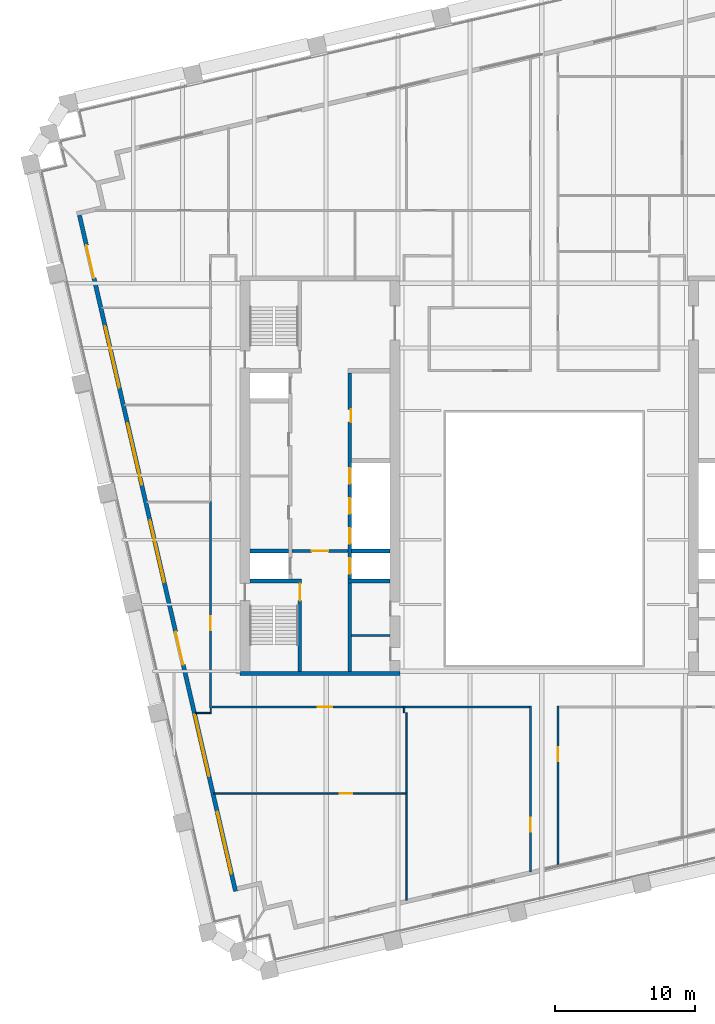
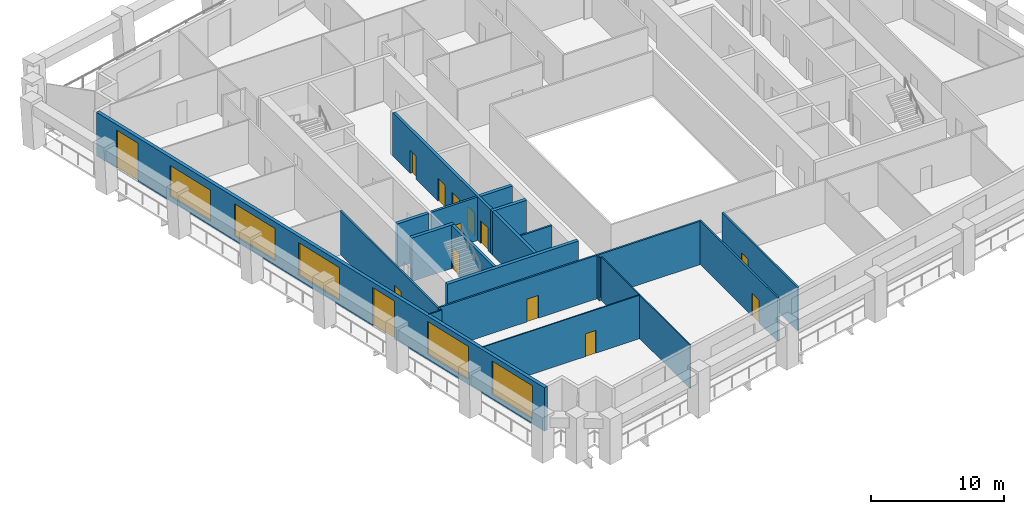
# One storey, part 4 of 11: 21 walls, 14 doors, 5 windows, 19 openings.
"""IFC4 building model written with IfcOpenShell, lengths in metres."""

import ifcopenshell
import ifcopenshell.guid

model = None  # the IFC model being written
_history = None  # IfcOwnerHistory: only IFC2X3 demands one
_inside = {}  # id of a spatial element -> (the spatial element, [elements in it])
_under = {}  # id of a project, library or spatial element -> (it, [spatial elements below it])
_declared = {}  # id of a project -> (the project, [libraries it declares])
_typed = {}  # id of a type object -> (the type object, [elements of that type])
_made_of = {}  # id of a material, layer set ... -> (it, [elements and type objects made of it])


def new_model(schema):
    """Start an empty IFC model of exactly this schema.

    Asked for "IFC4X3", IfcOpenShell would pick the latest addendum, in which some entities
    have other attributes; the version numbers below select the first issue.
    IFC2X3 requires an IfcOwnerHistory on every rooted entity: one is made here for all.
    """
    global model, _history
    if schema == "IFC4X3":
        model = ifcopenshell.file(schema_version=(4, 3, 0, 0))
    else:
        model = ifcopenshell.file(schema=schema)
    _inside.clear()
    _under.clear()
    _declared.clear()
    _typed.clear()
    _made_of.clear()
    _history = None
    if model.schema == "IFC2X3":
        org = make("IfcOrganization", Name="unknown")
        user = make(
            "IfcPersonAndOrganization",
            ThePerson=make("IfcPerson", FamilyName="unknown"),
            TheOrganization=org,
        )
        app = make(
            "IfcApplication",
            ApplicationDeveloper=org,
            Version="unknown",
            ApplicationFullName="unknown",
            ApplicationIdentifier="unknown",
        )
        _history = make(
            "IfcOwnerHistory",
            OwningUser=user,
            OwningApplication=app,
            ChangeAction="ADDED",
            CreationDate=0,
        )
    return model


def make(cls, **values):
    """One entity of the class cls with the attributes given. An attribute that is None is left unset."""
    return model.create_entity(
        cls, **{name: value for name, value in values.items() if value is not None}
    )


def rooted(cls, **values):
    """An entity with a GlobalId (a new one), such as an element, a storey or a relation."""
    return make(cls, GlobalId=ifcopenshell.guid.new(), OwnerHistory=_history, **values)


def si_unit(unit_type, name, prefix=None):
    """IfcSIUnit, for example si_unit("LENGTHUNIT", "METRE", prefix="MILLI")."""
    return make("IfcSIUnit", UnitType=unit_type, Prefix=prefix, Name=name)


def assignment(units):
    """IfcUnitAssignment: the units of a project."""
    return None if units is None else make("IfcUnitAssignment", Units=units)


def point(xyz):
    """IfcCartesianPoint."""
    return None if xyz is None else make("IfcCartesianPoint", Coordinates=xyz)


def direction(xyz):
    """IfcDirection."""
    return None if xyz is None else make("IfcDirection", DirectionRatios=xyz)


def frame(location, z_axis=None, x_axis=None):
    """IfcAxis2Placement3D, a coordinate frame: its origin and axes. An axis left out is left unset."""
    return make(
        "IfcAxis2Placement3D",
        Location=point(location),
        Axis=direction(z_axis),
        RefDirection=direction(x_axis),
    )


def frame_2d(location, x_axis=None):
    """IfcAxis2Placement2D, a coordinate frame in the plane: its origin and x axis."""
    return make(
        "IfcAxis2Placement2D", Location=point(location), RefDirection=direction(x_axis)
    )


def origin():
    """The frame at (0, 0, 0) with its axes left unset."""
    return frame((0.0, 0.0, 0.0))


def place(relative_to, where):
    """IfcLocalPlacement: puts the frame where relative to a parent placement (None: the world)."""
    return make(
        "IfcLocalPlacement", PlacementRelTo=relative_to, RelativePlacement=where
    )


def context(
    kind, dimensions, precision=None, world=None, true_north=None, identifier=None
):
    """IfcGeometricRepresentationContext, for example the 3D "Model" context."""
    return make(
        "IfcGeometricRepresentationContext",
        ContextIdentifier=identifier,
        ContextType=kind,
        CoordinateSpaceDimension=dimensions,
        Precision=precision,
        WorldCoordinateSystem=world,
        TrueNorth=true_north,
    )


def subcontext(parent, identifier, kind, view, scale=None):
    """IfcGeometricRepresentationSubContext, for example "Body" below "Model"."""
    return make(
        "IfcGeometricRepresentationSubContext",
        ContextIdentifier=identifier,
        ContextType=kind,
        ParentContext=parent,
        TargetScale=scale,
        TargetView=view,
    )


def project(units=None, contexts=None):
    """IfcProject with its units and contexts."""
    return rooted(
        "IfcProject",
        Name="project",
        RepresentationContexts=contexts,
        UnitsInContext=assignment(units),
    )


def spatial(cls, under=None, at=None, **own):
    """A site, building, storey or space (cls), placed at a placement, below another one or the project."""
    s = rooted(cls, ObjectPlacement=at, **own)
    if under is not None:
        _under.setdefault(under.id(), (under, []))[1].append(s)
    return s


def profile(cls, at=None, kind="AREA", **sizes):
    """A parametric profile (cls). Its sizes go by their IFC names, for example OverallWidth=200.0."""
    return make(cls, ProfileType=kind, Position=at, **sizes)


def rectangle(**sizes):
    """IfcRectangleProfileDef."""
    return profile("IfcRectangleProfileDef", **sizes)


def extrude(swept, where, along, depth):
    """IfcExtrudedAreaSolid: the profile swept, set in the frame where, extruded along a direction by depth."""
    return make(
        "IfcExtrudedAreaSolid",
        SweptArea=swept,
        Position=where,
        ExtrudedDirection=direction(along),
        Depth=depth,
    )


def shape(context_of_items, identifier, shape_type, items):
    """IfcShapeRepresentation: the items that make up one representation, for example the "Body"."""
    return make(
        "IfcShapeRepresentation",
        ContextOfItems=context_of_items,
        RepresentationIdentifier=identifier,
        RepresentationType=shape_type,
        Items=items,
    )


def material(Name=None, Category=None):
    """IfcMaterial."""
    return make("IfcMaterial", Name=Name, Category=Category)


def layer(
    of_material, thickness, ventilated=None, Name=None, Category=None, Priority=None
):
    """IfcMaterialLayer: one layer of a wall or slab, of a material (None: an air gap)."""
    return make(
        "IfcMaterialLayer",
        Material=of_material,
        LayerThickness=thickness,
        IsVentilated=ventilated,
        Name=Name,
        Category=Category,
        Priority=Priority,
    )


def layer_set(layers, Name=None):
    """IfcMaterialLayerSet."""
    return make("IfcMaterialLayerSet", MaterialLayers=layers, LayerSetName=Name)


def made_of(thing, what):
    """Note that an element or type object is made of a material, layer set ...; save() writes the relation."""
    if what is not None:
        _made_of.setdefault(what.id(), (what, []))[1].append(thing)
    return thing


def type_object(cls, material=None, **own):
    """A type object (cls), such as IfcWallType, which elements share."""
    return made_of(rooted(cls, **own), material)


def element(
    cls,
    number,
    at=None,
    inside=None,
    cuts=None,
    type_object=None,
    material=None,
    context=None,
    identifier="Body",
    shape_type=None,
    held_by="IfcProductDefinitionShape",
    body=None,
    shapes=None,
    **own,
):
    """One element of the class cls, such as IfcWall. Its Tag is "e" and its number.

    at: its placement. inside: the storey or other place that contains it. cuts: it is an
    opening in that element (IfcRelVoidsElement). A single representation is given by context,
    identifier, shape_type and body (its items); several are given by shapes. held_by: the class
    of the entity that holds the representations. save() writes the other relations.
    """
    e = rooted(cls, Tag="e%d" % number, ObjectPlacement=at, **own)
    if body is not None:
        shapes = [shape(context, identifier, shape_type, body)]
    if shapes is not None:
        e.Representation = make(held_by, Representations=shapes)
    if inside is not None:
        _inside.setdefault(inside.id(), (inside, []))[1].append(e)
    if cuts is not None:
        rooted(
            "IfcRelVoidsElement", RelatingBuildingElement=cuts, RelatedOpeningElement=e
        )
    if type_object is not None:
        _typed.setdefault(type_object.id(), (type_object, []))[1].append(e)
    return made_of(e, material)


def fill(opening, filler):
    """IfcRelFillsElement: the door or window that sits in an opening."""
    return rooted(
        "IfcRelFillsElement",
        RelatingOpeningElement=opening,
        RelatedBuildingElement=filler,
    )


def aggregate(whole, parts):
    """IfcRelAggregates: a whole, such as a stair, and the parts it consists of."""
    return rooted("IfcRelAggregates", RelatingObject=whole, RelatedObjects=parts)


def save(model, path):
    """Write the relations noted so far, then the file.

    IfcRelAggregates (storeys below a building ...), IfcRelContainedInSpatialStructure (elements
    in a storey), IfcRelDefinesByType, IfcRelAssociatesMaterial and IfcRelDeclares: one each for
    every whole, place, type object, material and project.
    """
    for whole, parts in _under.values():
        aggregate(whole, parts)
    for where, things in _inside.values():
        rooted(
            "IfcRelContainedInSpatialStructure",
            RelatedElements=things,
            RelatingStructure=where,
        )
    for kind, things in _typed.values():
        rooted("IfcRelDefinesByType", RelatedObjects=things, RelatingType=kind)
    for what, things in _made_of.values():
        rooted("IfcRelAssociatesMaterial", RelatedObjects=things, RelatingMaterial=what)
    for by, libraries in _declared.values():
        rooted("IfcRelDeclares", RelatingContext=by, RelatedDefinitions=libraries)
    model.write(path)


model = new_model("IFC4")

# Units and contexts
model_context = context("Model", 3, precision=1e-05, world=origin(), true_north=direction((0.0, 1.0)))
body_context = subcontext(model_context, "Body", "Model", "MODEL_VIEW")
ifc_project = project(units=[si_unit("LENGTHUNIT", "METRE"), si_unit("AREAUNIT", "SQUARE_METRE"), si_unit("VOLUMEUNIT", "CUBIC_METRE"), si_unit("PLANEANGLEUNIT", "RADIAN"), si_unit("MASSUNIT", "GRAM", prefix="KILO")], contexts=[model_context])

# Site, building, storey
site_placement = place(None, origin())
site = spatial("IfcSite", under=ifc_project, at=site_placement, CompositionType="ELEMENT")
building_placement = place(site_placement, origin())
building = spatial("IfcBuilding", under=site, at=building_placement, Name="Ogive Exchange Tower", CompositionType="ELEMENT")
storey_placement = place(building_placement, frame((0.0, 0.0, 184.199951171875)))
storey = spatial("IfcBuildingStorey", under=building, at=storey_placement, Name="L40", CompositionType="ELEMENT", Elevation=184.199951171875)

# Wall
ifc_material_1 = material(Name="Gypsum board partition")
ifc_layer_1 = layer(ifc_material_1, 0.14990234375)
ifc_layer_set_1 = layer_set([ifc_layer_1], Name="Core room partition 150 gypsum")
wall_type_1 = type_object("IfcWallType", Name="Core room partition 150 gypsum", PredefinedType="PARTITIONING", material=ifc_layer_set_1)
wall_1_placement = place(storey_placement, frame((-13.75, 0.10009765625, 0.0), z_axis=(0.0, 0.0, 1.0), x_axis=(1.0, 0.0, 0.0)))
element("IfcWall", 1, at=wall_1_placement, inside=storey, type_object=wall_type_1, Name="W south room partition", PredefinedType="PARTITIONING", context=body_context, shape_type="SweptSolid", body=[
    extrude(rectangle(XDim=2.75, YDim=0.14990234375, at=frame_2d((1.375, 0.0))), origin(), (0.0, 0.0, 1.0), 4.0),
])

# Wall, opening, door
ifc_material_2 = material(Name="Fire partition EI 60 150")
ifc_layer_2 = layer(ifc_material_2, 0.14990234375)
ifc_layer_set_2 = layer_set([ifc_layer_2], Name="Fire partition EI 60 150")
wall_type_2 = type_object("IfcWallType", Name="Fire partition EI 60 150", PredefinedType="PARTITIONING", material=ifc_layer_set_2)
wall_2_placement = place(storey_placement, frame((-23.800048828125, -5.074951171875, 0.0), z_axis=(0.0, 0.0, 1.0), x_axis=(0.0, 1.0, 0.0)))
wall_2 = element("IfcWall", 2, at=wall_2_placement, inside=storey, type_object=wall_type_2, Name="L40-PWL-003", PredefinedType="PARTITIONING", context=body_context, shape_type="SweptSolid", body=[
    extrude(rectangle(XDim=14.744873046875, YDim=0.14990234375, at=frame_2d((7.37255859375, 0.0))), origin(), (0.0, 0.0, 1.0), 4.0),
])
opening_1_placement = place(wall_2_placement, frame((5.544921875, 0.0, 0.0)))
opening_1 = element("IfcOpeningElement", 3, at=opening_1_placement, cuts=wall_2, Name="Opening L40-I11", PredefinedType="OPENING", context=body_context, shape_type="SweptSolid", body=[
    extrude(rectangle(XDim=1.0, YDim=2.10009765625, at=frame_2d((0.5, 1.050048828125))), frame((0.0, 0.0849609375, 0.0), z_axis=(0.0, -1.0, 0.0), x_axis=(1.0, 0.0, 0.0)), (0.0, 0.0, 1.0), 0.169921875),
])
ifc_material_3 = material(Name="Fire door FD 30S 1000 x 2100")
door_type_1 = type_object("IfcDoorType", Name="Fire door FD 30S 1000 x 2100", OperationType="NOTDEFINED", PredefinedType="DOOR", material=ifc_material_3)
door_1_placement = place(opening_1_placement, origin())
door_1 = element("IfcDoor", 4, at=door_1_placement, inside=storey, type_object=door_type_1, Name="L40-IDR-011", ObjectType="DT3", OperationType="SINGLE_SWING_RIGHT", OverallHeight=2.10009765625, OverallWidth=1.0, PredefinedType="DOOR", context=body_context, shape_type="SweptSolid", body=[
    extrude(rectangle(XDim=1.0, YDim=2.10009765625, at=frame_2d((0.5, 1.050048828125))), frame((0.0, 0.02490234375, 0.0), z_axis=(0.0, -1.0, 0.0), x_axis=(1.0, 0.0, 0.0)), (0.0, 0.0, 1.0), 0.050048828125),
])
fill(opening_1, door_1)

wall_3_placement = place(storey_placement, frame((-10.050048828125, -5.0, 0.0), z_axis=(0.0, 0.0, 1.0), x_axis=(-1.0, 0.0, 0.0)))
wall_3 = element("IfcWall", 5, at=wall_3_placement, inside=storey, type_object=wall_type_2, Name="L40-PWL-020", PredefinedType="PARTITIONING", context=body_context, shape_type="SweptSolid", body=[
    extrude(rectangle(XDim=13.6650390625, YDim=0.14990234375, at=frame_2d((6.83251953125, 0.0))), origin(), (0.0, 0.0, 1.0), 4.0),
])
opening_2_placement = place(wall_3_placement, frame((5.090087890625, 0.0, 0.0)))
opening_2 = element("IfcOpeningElement", 6, at=opening_2_placement, cuts=wall_3, Name="Opening L40-I13", PredefinedType="OPENING", context=body_context, shape_type="SweptSolid", body=[
    extrude(rectangle(XDim=1.0, YDim=2.10009765625, at=frame_2d((0.5, 1.050048828125))), frame((0.0, 0.0849609375, 0.0), z_axis=(0.0, -1.0, 0.0), x_axis=(1.0, 0.0, 0.0)), (0.0, 0.0, 1.0), 0.169921875),
])
door_2_placement = place(opening_2_placement, origin())
door_2 = element("IfcDoor", 7, at=door_2_placement, inside=storey, type_object=door_type_1, Name="L40-IDR-013", ObjectType="DT3", OperationType="SINGLE_SWING_RIGHT", OverallHeight=2.10009765625, OverallWidth=1.0, PredefinedType="DOOR", context=body_context, shape_type="SweptSolid", body=[
    extrude(rectangle(XDim=1.0, YDim=2.10009765625, at=frame_2d((0.5, 1.050048828125))), frame((0.0, 0.02490234375, 0.0), z_axis=(0.0, -1.0, 0.0), x_axis=(1.0, 0.0, 0.0)), (0.0, 0.0, 1.0), 0.050048828125),
])
fill(opening_2, door_2)

wall_4_placement = place(storey_placement, frame((-0.989990234375, -16.7529296875, 0.0), z_axis=(0.0, 0.0, 1.0), x_axis=(0.0, 1.0, 0.0)))
wall_4 = element("IfcWall", 8, at=wall_4_placement, inside=storey, type_object=wall_type_2, Name="L40-PWL-036", PredefinedType="PARTITIONING", context=body_context, shape_type="SweptSolid", body=[
    extrude(rectangle(XDim=11.827880859375, YDim=0.14990234375, at=frame_2d((5.9140625, 0.0))), origin(), (0.0, 0.0, 1.0), 4.0),
])
opening_3_placement = place(wall_4_placement, frame((2.85302734375, 0.0, 0.0)))
opening_3 = element("IfcOpeningElement", 9, at=opening_3_placement, cuts=wall_4, Name="Opening L40-I12", PredefinedType="OPENING", context=body_context, shape_type="SweptSolid", body=[
    extrude(rectangle(XDim=1.0, YDim=2.10009765625, at=frame_2d((0.5, 1.050048828125))), frame((0.0, 0.0849609375, 0.0), z_axis=(0.0, -1.0, 0.0), x_axis=(1.0, 0.0, 0.0)), (0.0, 0.0, 1.0), 0.169921875),
])
door_3_placement = place(opening_3_placement, origin())
door_3 = element("IfcDoor", 10, at=door_3_placement, inside=storey, type_object=door_type_1, Name="L40-IDR-012", ObjectType="DT3", OperationType="SINGLE_SWING_RIGHT", OverallHeight=2.10009765625, OverallWidth=1.0, PredefinedType="DOOR", context=body_context, shape_type="SweptSolid", body=[
    extrude(rectangle(XDim=1.0, YDim=2.10009765625, at=frame_2d((0.5, 1.050048828125))), frame((0.0, 0.02490234375, 0.0), z_axis=(0.0, -1.0, 0.0), x_axis=(1.0, 0.0, 0.0)), (0.0, 0.0, 1.0), 0.050048828125),
])
fill(opening_3, door_3)

# Wall
wall_5_placement = place(storey_placement, frame((-1.06494140625, -5.0, 0.0), z_axis=(0.0, 0.0, 1.0), x_axis=(-1.0, 0.0, 0.0)))
element("IfcWall", 11, at=wall_5_placement, inside=storey, type_object=wall_type_2, Name="L40-PWL-037", PredefinedType="PARTITIONING", context=body_context, shape_type="SweptSolid", body=[
    extrude(rectangle(XDim=8.885009765625, YDim=0.14990234375, at=frame_2d((4.4423828125, 0.0))), origin(), (0.0, 0.0, 1.0), 4.0),
])

# Wall, opening, door
wall_6_placement = place(storey_placement, frame((0.989990234375, -4.925048828125, 0.0), z_axis=(0.0, 0.0, 1.0), x_axis=(0.0, -1.0, 0.0)))
wall_6 = element("IfcWall", 12, at=wall_6_placement, inside=storey, type_object=wall_type_2, Name="L40-PWL-041", PredefinedType="PARTITIONING", context=body_context, shape_type="SweptSolid", body=[
    extrude(rectangle(XDim=11.370849609375, YDim=0.14990234375, at=frame_2d((5.685546875, 0.0))), origin(), (0.0, 0.0, 1.0), 4.0),
])
opening_4_placement = place(wall_6_placement, frame((2.945068359375, 0.0, 0.0)))
opening_4 = element("IfcOpeningElement", 13, at=opening_4_placement, cuts=wall_6, Name="Opening L40-I15", PredefinedType="OPENING", context=body_context, shape_type="SweptSolid", body=[
    extrude(rectangle(XDim=1.0, YDim=2.10009765625, at=frame_2d((0.5, 1.050048828125))), frame((0.0, 0.0849609375, 0.0), z_axis=(0.0, -1.0, 0.0), x_axis=(1.0, 0.0, 0.0)), (0.0, 0.0, 1.0), 0.169921875),
])
door_4_placement = place(opening_4_placement, origin())
door_4 = element("IfcDoor", 14, at=door_4_placement, inside=storey, type_object=door_type_1, Name="L40-IDR-015", ObjectType="DT3", OperationType="SINGLE_SWING_RIGHT", OverallHeight=2.10009765625, OverallWidth=1.0, PredefinedType="DOOR", context=body_context, shape_type="SweptSolid", body=[
    extrude(rectangle(XDim=1.0, YDim=2.10009765625, at=frame_2d((0.5, 1.050048828125))), frame((0.0, 0.02490234375, 0.0), z_axis=(0.0, -1.0, 0.0), x_axis=(1.0, 0.0, 0.0)), (0.0, 0.0, 1.0), 0.050048828125),
])
fill(opening_4, door_4)

# Wall, openings, doors, windows
ifc_material_4 = material(Name="Precast concrete C40/50", Category="concrete")
ifc_layer_3 = layer(ifc_material_4, 0.300048828125)
ifc_layer_set_3 = layer_set([ifc_layer_3], Name="Limestone-faced wall 300")
wall_type_3 = type_object("IfcWallType", Name="Limestone-faced wall 300", PredefinedType="STANDARD", material=ifc_layer_set_3)
wall_7_placement = place(storey_placement, frame((-33.1572265625, 30.092041015625, 0.0), z_axis=(0.0, 0.0, 1.0), x_axis=(0.224950279389, -0.974370243697, 0.0)))
wall_7 = element("IfcWall", 15, at=wall_7_placement, inside=storey, type_object=wall_type_3, Name="External wall W4", PredefinedType="STANDARD", context=body_context, shape_type="SweptSolid", body=[
    extrude(rectangle(XDim=49.499755859375, YDim=0.300048828125, at=frame_2d((24.75, 0.0))), origin(), (0.0, 0.0, 1.0), 4.0),
])
opening_5_placement = place(wall_7_placement, frame((2.20703125, 0.0, 0.0)))
opening_5 = element("IfcOpeningElement", 16, at=opening_5_placement, cuts=wall_7, Name="Opening D1", PredefinedType="OPENING", context=body_context, shape_type="SweptSolid", body=[
    extrude(rectangle(XDim=2.39990234375, YDim=3.5, at=frame_2d((1.199951171875, 1.75))), frame((0.0, 0.159912109375, 0.0), z_axis=(0.0, -1.0, 0.0), x_axis=(1.0, 0.0, 0.0)), (0.0, 0.0, 1.0), 0.320068359375),
])
opening_6_placement = place(wall_7_placement, frame((8.121337890625, 0.0, 0.449951171875)))
opening_6 = element("IfcOpeningElement", 17, at=opening_6_placement, cuts=wall_7, Name="Opening W1E", PredefinedType="OPENING", context=body_context, shape_type="SweptSolid", body=[
    extrude(rectangle(XDim=4.5, YDim=2.824951171875, at=frame_2d((2.25, 1.41259765625))), frame((0.0, 0.159912109375, 0.0), z_axis=(0.0, -1.0, 0.0), x_axis=(1.0, 0.0, 0.0)), (0.0, 0.0, 1.0), 0.320068359375),
])
opening_7_placement = place(wall_7_placement, frame((15.235595703125, 0.0, 0.449951171875)))
opening_7 = element("IfcOpeningElement", 18, at=opening_7_placement, cuts=wall_7, Name="Opening W1B", PredefinedType="OPENING", context=body_context, shape_type="SweptSolid", body=[
    extrude(rectangle(XDim=4.5, YDim=2.949951171875, at=frame_2d((2.25, 1.47509765625))), frame((0.0, 0.159912109375, 0.0), z_axis=(0.0, -1.0, 0.0), x_axis=(1.0, 0.0, 0.0)), (0.0, 0.0, 1.0), 0.320068359375),
])
opening_8_placement = place(wall_7_placement, frame((22.35009765625, 0.0, 0.449951171875)))
opening_8 = element("IfcOpeningElement", 19, at=opening_8_placement, cuts=wall_7, Name="Opening W1A", PredefinedType="OPENING", context=body_context, shape_type="SweptSolid", body=[
    extrude(rectangle(XDim=4.5, YDim=3.0, at=frame_2d((2.25, 1.5))), frame((0.0, 0.159912109375, 0.0), z_axis=(0.0, -1.0, 0.0), x_axis=(1.0, 0.0, 0.0)), (0.0, 0.0, 1.0), 0.320068359375),
])
opening_9_placement = place(wall_7_placement, frame((30.51416015625, 0.0, 0.0)))
opening_9 = element("IfcOpeningElement", 20, at=opening_9_placement, cuts=wall_7, Name="Opening D1", PredefinedType="OPENING", context=body_context, shape_type="SweptSolid", body=[
    extrude(rectangle(XDim=2.39990234375, YDim=3.5, at=frame_2d((1.199951171875, 1.75))), frame((0.0, 0.159912109375, 0.0), z_axis=(0.0, -1.0, 0.0), x_axis=(1.0, 0.0, 0.0)), (0.0, 0.0, 1.0), 0.320068359375),
])
opening_10_placement = place(wall_7_placement, frame((36.57861328125, 0.0, 0.449951171875)))
opening_10 = element("IfcOpeningElement", 21, at=opening_10_placement, cuts=wall_7, Name="Opening W1", PredefinedType="OPENING", context=body_context, shape_type="SweptSolid", body=[
    extrude(rectangle(XDim=4.5, YDim=3.050048828125, at=frame_2d((2.25, 1.52490234375))), frame((0.0, 0.159912109375, 0.0), z_axis=(0.0, -1.0, 0.0), x_axis=(1.0, 0.0, 0.0)), (0.0, 0.0, 1.0), 0.320068359375),
])
opening_11_placement = place(wall_7_placement, frame((43.69287109375, 0.0, 0.449951171875)))
opening_11 = element("IfcOpeningElement", 22, at=opening_11_placement, cuts=wall_7, Name="Opening W1", PredefinedType="OPENING", context=body_context, shape_type="SweptSolid", body=[
    extrude(rectangle(XDim=4.5, YDim=3.050048828125, at=frame_2d((2.25, 1.52490234375))), frame((0.0, 0.159912109375, 0.0), z_axis=(0.0, -1.0, 0.0), x_axis=(1.0, 0.0, 0.0)), (0.0, 0.0, 1.0), 0.320068359375),
])
ifc_material_5 = material(Name="Clear glass in bronze frame", Category="glass")
door_type_2 = type_object("IfcDoorType", Name="Sliding loggia door 2400 x 3500", OperationType="DOUBLE_DOOR_SLIDING", PredefinedType="DOOR", material=ifc_material_5)
door_5_placement = place(opening_5_placement, origin())
door_5 = element("IfcDoor", 23, at=door_5_placement, inside=storey, type_object=door_type_2, Name="Loggia door W00", OperationType="DOUBLE_DOOR_SLIDING", OverallHeight=3.5, OverallWidth=2.39990234375, PredefinedType="DOOR", context=body_context, shape_type="SweptSolid", body=[
    extrude(rectangle(XDim=2.39990234375, YDim=3.5, at=frame_2d((1.199951171875, 1.75))), frame((0.0, 0.02490234375, 0.0), z_axis=(0.0, -1.0, 0.0), x_axis=(1.0, 0.0, 0.0)), (0.0, 0.0, 1.0), 0.050048828125),
])
fill(opening_5, door_5)
door_6_placement = place(opening_9_placement, origin())
door_6 = element("IfcDoor", 24, at=door_6_placement, inside=storey, type_object=door_type_2, Name="Loggia door W04", OperationType="DOUBLE_DOOR_SLIDING", OverallHeight=3.5, OverallWidth=2.39990234375, PredefinedType="DOOR", context=body_context, shape_type="SweptSolid", body=[
    extrude(rectangle(XDim=2.39990234375, YDim=3.5, at=frame_2d((1.199951171875, 1.75))), frame((0.0, 0.02490234375, 0.0), z_axis=(0.0, -1.0, 0.0), x_axis=(1.0, 0.0, 0.0)), (0.0, 0.0, 1.0), 0.050048828125),
])
fill(opening_9, door_6)
window_type_1 = type_object("IfcWindowType", Name="Twin lancet window 4500 x 2825", PartitioningType="DOUBLE_PANEL_VERTICAL", PredefinedType="WINDOW", material=ifc_material_5)
window_1_placement = place(opening_6_placement, origin())
window_1 = element("IfcWindow", 25, at=window_1_placement, inside=storey, type_object=window_type_1, Name="Window W01", OverallHeight=2.824951171875, OverallWidth=4.5, PartitioningType="DOUBLE_PANEL_VERTICAL", PredefinedType="WINDOW", context=body_context, shape_type="SweptSolid", body=[
    extrude(rectangle(XDim=4.5, YDim=2.824951171875, at=frame_2d((2.25, 1.41259765625))), frame((0.0, 0.030029296875, 0.0), z_axis=(0.0, -1.0, 0.0), x_axis=(1.0, 0.0, 0.0)), (0.0, 0.0, 1.0), 0.06005859375),
])
fill(opening_6, window_1)
window_type_2 = type_object("IfcWindowType", Name="Twin lancet window 4500 x 2950", PartitioningType="DOUBLE_PANEL_VERTICAL", PredefinedType="WINDOW", material=ifc_material_5)
window_2_placement = place(opening_7_placement, origin())
window_2 = element("IfcWindow", 26, at=window_2_placement, inside=storey, type_object=window_type_2, Name="Window W02", OverallHeight=2.949951171875, OverallWidth=4.5, PartitioningType="DOUBLE_PANEL_VERTICAL", PredefinedType="WINDOW", context=body_context, shape_type="SweptSolid", body=[
    extrude(rectangle(XDim=4.5, YDim=2.949951171875, at=frame_2d((2.25, 1.47509765625))), frame((0.0, 0.030029296875, 0.0), z_axis=(0.0, -1.0, 0.0), x_axis=(1.0, 0.0, 0.0)), (0.0, 0.0, 1.0), 0.06005859375),
])
fill(opening_7, window_2)
window_type_3 = type_object("IfcWindowType", Name="Twin lancet window 4500 x 3000", PartitioningType="DOUBLE_PANEL_VERTICAL", PredefinedType="WINDOW", material=ifc_material_5)
window_3_placement = place(opening_8_placement, origin())
window_3 = element("IfcWindow", 27, at=window_3_placement, inside=storey, type_object=window_type_3, Name="Window W03", OverallHeight=3.0, OverallWidth=4.5, PartitioningType="DOUBLE_PANEL_VERTICAL", PredefinedType="WINDOW", context=body_context, shape_type="SweptSolid", body=[
    extrude(rectangle(XDim=4.5, YDim=3.0, at=frame_2d((2.25, 1.5))), frame((0.0, 0.030029296875, 0.0), z_axis=(0.0, -1.0, 0.0), x_axis=(1.0, 0.0, 0.0)), (0.0, 0.0, 1.0), 0.06005859375),
])
fill(opening_8, window_3)
window_type_4 = type_object("IfcWindowType", Name="Twin lancet window 4500 x 3050", PartitioningType="DOUBLE_PANEL_VERTICAL", PredefinedType="WINDOW", material=ifc_material_5)
window_4_placement = place(opening_10_placement, origin())
window_4 = element("IfcWindow", 28, at=window_4_placement, inside=storey, type_object=window_type_4, Name="Window W05", OverallHeight=3.050048828125, OverallWidth=4.5, PartitioningType="DOUBLE_PANEL_VERTICAL", PredefinedType="WINDOW", context=body_context, shape_type="SweptSolid", body=[
    extrude(rectangle(XDim=4.5, YDim=3.050048828125, at=frame_2d((2.25, 1.52490234375))), frame((0.0, 0.030029296875, 0.0), z_axis=(0.0, -1.0, 0.0), x_axis=(1.0, 0.0, 0.0)), (0.0, 0.0, 1.0), 0.06005859375),
])
fill(opening_10, window_4)
window_5_placement = place(opening_11_placement, origin())
window_5 = element("IfcWindow", 29, at=window_5_placement, inside=storey, type_object=window_type_4, Name="Window W06", OverallHeight=3.050048828125, OverallWidth=4.5, PartitioningType="DOUBLE_PANEL_VERTICAL", PredefinedType="WINDOW", context=body_context, shape_type="SweptSolid", body=[
    extrude(rectangle(XDim=4.5, YDim=3.050048828125, at=frame_2d((2.25, 1.52490234375))), frame((0.0, 0.030029296875, 0.0), z_axis=(0.0, -1.0, 0.0), x_axis=(1.0, 0.0, 0.0)), (0.0, 0.0, 1.0), 0.06005859375),
])
fill(opening_11, window_5)

# Walls
ifc_material_6 = material(Name="Partition 100 gypsum")
ifc_layer_4 = layer(ifc_material_6, 0.10009765625)
ifc_layer_set_4 = layer_set([ifc_layer_4], Name="Partition 100 gypsum")
wall_type_4 = type_object("IfcWallType", Name="Partition 100 gypsum", PredefinedType="PARTITIONING", material=ifc_layer_set_4)
wall_8_placement = place(storey_placement, frame((-23.739990234375, -5.419921875, 0.0), z_axis=(0.0, 0.0, 1.0), x_axis=(-1.0, 0.0, 0.0)))
element("IfcWall", 30, at=wall_8_placement, inside=storey, type_object=wall_type_4, Name="L40-PWL-009", PredefinedType="PARTITIONING", context=body_context, shape_type="SweptSolid", body=[
    extrude(rectangle(XDim=1.14697265625, YDim=0.10009765625, at=frame_2d((0.573486328125, 0.0))), origin(), (0.0, 0.0, 1.0), 4.0),
])
wall_9_placement = place(storey_placement, frame((-23.7900390625, -5.074951171875, 0.0), z_axis=(0.0, 0.0, 1.0), x_axis=(0.0, -1.0, 0.0)))
element("IfcWall", 31, at=wall_9_placement, inside=storey, type_object=wall_type_4, Name="L40-PWL-010", PredefinedType="PARTITIONING", context=body_context, shape_type="SweptSolid", body=[
    extrude(rectangle(XDim=0.295166015625, YDim=0.10009765625, at=frame_2d((0.1474609375, 0.0))), origin(), (0.0, 0.0, 1.0), 4.0),
])
wall_10_placement = place(storey_placement, frame((-10.0, -5.419921875, 0.0), z_axis=(0.0, 0.0, 1.0), x_axis=(0.0, 1.0, 0.0)))
element("IfcWall", 32, at=wall_10_placement, inside=storey, type_object=wall_type_4, Name="L40-PWL-019", PredefinedType="PARTITIONING", context=body_context, shape_type="SweptSolid", body=[
    extrude(rectangle(XDim=0.494873046875, YDim=0.10009765625, at=frame_2d((0.24755859375, 0.0))), origin(), (0.0, 0.0, 1.0), 4.0),
])
wall_11_placement = place(storey_placement, frame((-9.830078125, -18.7939453125, 0.0), z_axis=(0.0, 0.0, 1.0), x_axis=(0.0, 1.0, 0.0)))
element("IfcWall", 33, at=wall_11_placement, inside=storey, type_object=wall_type_4, Name="L40-PWL-023", PredefinedType="PARTITIONING", context=body_context, shape_type="SweptSolid", body=[
    extrude(rectangle(XDim=7.673828125, YDim=0.10009765625, at=frame_2d((3.8369140625, 0.0))), origin(), (0.0, 0.0, 1.0), 4.0),
])

# Wall, opening, door
wall_12_placement = place(storey_placement, frame((-9.8798828125, -11.169921875, 0.0), z_axis=(0.0, 0.0, 1.0), x_axis=(-1.0, 0.0, 0.0)))
wall_12 = element("IfcWall", 34, at=wall_12_placement, inside=storey, type_object=wall_type_4, Name="L40-PWL-024", PredefinedType="PARTITIONING", context=body_context, shape_type="SweptSolid", body=[
    extrude(rectangle(XDim=13.68017578125, YDim=0.10009765625, at=frame_2d((6.840087890625, 0.0))), origin(), (0.0, 0.0, 1.0), 4.0),
])
opening_12_placement = place(wall_12_placement, frame((3.81005859375, 0.0, 0.0)))
opening_12 = element("IfcOpeningElement", 35, at=opening_12_placement, cuts=wall_12, Name="Opening L40-I14", PredefinedType="OPENING", context=body_context, shape_type="SweptSolid", body=[
    extrude(rectangle(XDim=0.89990234375, YDim=2.10009765625, at=frame_2d((0.449951171875, 1.050048828125))), frame((0.0, 0.06005859375, 0.0), z_axis=(0.0, -1.0, 0.0), x_axis=(1.0, 0.0, 0.0)), (0.0, 0.0, 1.0), 0.1201171875),
])
ifc_material_7 = material(Name="Door 900 x 2100")
door_type_3 = type_object("IfcDoorType", Name="Door 900 x 2100", OperationType="NOTDEFINED", PredefinedType="DOOR", material=ifc_material_7)
door_7_placement = place(opening_12_placement, frame((0.89990234375, 0.0, 0.0), z_axis=(0.0, 0.0, 1.0), x_axis=(-1.0, 0.0, 0.0)))
door_7 = element("IfcDoor", 36, at=door_7_placement, inside=storey, type_object=door_type_3, Name="L40-IDR-014", ObjectType="DT1", OperationType="SINGLE_SWING_RIGHT", OverallHeight=2.10009765625, OverallWidth=0.89990234375, PredefinedType="DOOR", context=body_context, shape_type="SweptSolid", body=[
    extrude(rectangle(XDim=0.89990234375, YDim=2.10009765625, at=frame_2d((0.449951171875, 1.050048828125))), frame((0.0, 0.02490234375, 0.0), z_axis=(0.0, -1.0, 0.0), x_axis=(1.0, 0.0, 0.0)), (0.0, 0.0, 1.0), 0.050048828125),
])
fill(opening_12, door_7)

# Wall
wall_13_placement = place(storey_placement, frame((-9.830078125, -11.1201171875, 0.0), z_axis=(0.0, 0.0, 1.0), x_axis=(0.0, 1.0, 0.0)))
element("IfcWall", 37, at=wall_13_placement, inside=storey, type_object=wall_type_4, Name="L40-PWL-025", PredefinedType="PARTITIONING", context=body_context, shape_type="SweptSolid", body=[
    extrude(rectangle(XDim=5.7001953125, YDim=0.10009765625, at=frame_2d((2.85009765625, 0.0))), origin(), (0.0, 0.0, 1.0), 4.0),
])

# Wall, opening, door
ifc_material_8 = material(Name="Concrete C70/85", Category="concrete")
ifc_layer_5 = layer(ifc_material_8, 0.199951171875)
ifc_layer_set_5 = layer_set([ifc_layer_5], Name="RC core wall 200 C70/85")
wall_type_5 = type_object("IfcWallType", Name="RC core wall 200 C70/85", PredefinedType="SHEAR", material=ifc_layer_set_5)
wall_14_placement = place(storey_placement, frame((-18.0, 6.142822265625, 0.0), z_axis=(0.0, 0.0, 1.0), x_axis=(1.0, 0.0, 0.0)))
wall_14 = element("IfcWall", 38, at=wall_14_placement, inside=storey, type_object=wall_type_5, Name="W firefighting lobby wall", PredefinedType="SHEAR", context=body_context, shape_type="SweptSolid", body=[
    extrude(rectangle(XDim=4.0, YDim=0.199951171875, at=frame_2d((2.0, 0.0))), origin(), (0.0, 0.0, 1.0), 4.0),
])
opening_13_placement = place(wall_14_placement, frame((1.39990234375, 0.0, 0.0)))
opening_13 = element("IfcOpeningElement", 39, at=opening_13_placement, cuts=wall_14, Name="Opening L40-C10", PredefinedType="OPENING", context=body_context, shape_type="SweptSolid", body=[
    extrude(rectangle(XDim=1.199951171875, YDim=2.10009765625, at=frame_2d((0.60009765625, 1.050048828125))), frame((0.0, 0.10986328125, 0.0), z_axis=(0.0, -1.0, 0.0), x_axis=(1.0, 0.0, 0.0)), (0.0, 0.0, 1.0), 0.219970703125),
])
ifc_material_9 = material(Name="Steel fire door", Category="steel")
door_type_4 = type_object("IfcDoorType", Name="Firefighting lobby door FD60 1200 x 2100", OperationType="NOTDEFINED", PredefinedType="DOOR", material=ifc_material_9)
door_8_placement = place(opening_13_placement, frame((1.199951171875, 0.0, 0.0), z_axis=(0.0, 0.0, 1.0), x_axis=(-1.0, 0.0, 0.0)))
door_8 = element("IfcDoor", 40, at=door_8_placement, inside=storey, type_object=door_type_4, Name="Firefighting lobby door", ObjectType="CD3", OperationType="SINGLE_SWING_LEFT", OverallHeight=2.10009765625, OverallWidth=1.199951171875, PredefinedType="DOOR", context=body_context, shape_type="SweptSolid", body=[
    extrude(rectangle(XDim=1.199951171875, YDim=2.10009765625, at=frame_2d((0.60009765625, 1.050048828125))), frame((0.0, 0.02490234375, 0.0), z_axis=(0.0, -1.0, 0.0), x_axis=(1.0, 0.0, 0.0)), (0.0, 0.0, 1.0), 0.050048828125),
])
fill(opening_13, door_8)

ifc_layer_6 = layer(ifc_material_8, 0.25)
ifc_layer_set_6 = layer_set([ifc_layer_6], Name="RC core wall 250 C70/85")
wall_type_6 = type_object("IfcWallType", Name="RC core wall 250 C70/85", PredefinedType="SHEAR", material=ifc_layer_set_6)
wall_15_placement = place(storey_placement, frame((-17.425048828125, -2.449951171875, 0.0), z_axis=(0.0, 0.0, 1.0), x_axis=(0.0, 1.0, 0.0)))
wall_15 = element("IfcWall", 41, at=wall_15_placement, inside=storey, type_object=wall_type_6, Name="W stair S front wall", PredefinedType="SHEAR", context=body_context, shape_type="SweptSolid", body=[
    extrude(rectangle(XDim=6.300048828125, YDim=0.25, at=frame_2d((3.14990234375, 0.0))), origin(), (0.0, 0.0, 1.0), 4.0),
])
opening_14_placement = place(wall_15_placement, frame((5.050048828125, 0.0, 0.0)))
opening_14 = element("IfcOpeningElement", 42, at=opening_14_placement, cuts=wall_15, Name="Opening L40-C12", PredefinedType="OPENING", context=body_context, shape_type="SweptSolid", body=[
    extrude(rectangle(XDim=1.199951171875, YDim=2.10009765625, at=frame_2d((0.60009765625, 1.050048828125))), frame((0.0, 0.135009765625, 0.0), z_axis=(0.0, -1.0, 0.0), x_axis=(1.0, 0.0, 0.0)), (0.0, 0.0, 1.0), 0.27001953125),
])
door_type_5 = type_object("IfcDoorType", Name="Stair door FD90 1200 x 2100", OperationType="NOTDEFINED", PredefinedType="DOOR", material=ifc_material_9)
door_9_placement = place(opening_14_placement, origin())
door_9 = element("IfcDoor", 43, at=door_9_placement, inside=storey, type_object=door_type_5, Name="Stair door", ObjectType="CD5", OperationType="SINGLE_SWING_LEFT", OverallHeight=2.10009765625, OverallWidth=1.199951171875, PredefinedType="DOOR", context=body_context, shape_type="SweptSolid", body=[
    extrude(rectangle(XDim=1.199951171875, YDim=2.10009765625, at=frame_2d((0.60009765625, 1.050048828125))), frame((0.0, 0.02490234375, 0.0), z_axis=(0.0, -1.0, 0.0), x_axis=(1.0, 0.0, 0.0)), (0.0, 0.0, 1.0), 0.050048828125),
])
fill(opening_14, door_9)

# Wall, openings, doors
wall_16_placement = place(storey_placement, frame((-13.875, -2.449951171875, 0.0), z_axis=(0.0, 0.0, 1.0), x_axis=(0.0, 1.0, 0.0)))
wall_16 = element("IfcWall", 44, at=wall_16_placement, inside=storey, type_object=wall_type_6, Name="W row B front wall", PredefinedType="SHEAR", context=body_context, shape_type="SweptSolid", body=[
    extrude(rectangle(XDim=21.300048828125, YDim=0.25, at=frame_2d((10.64990234375, 0.0))), origin(), (0.0, 0.0, 1.0), 4.0),
])
opening_15_placement = place(wall_16_placement, frame((17.78564453125, 0.0, 0.0)))
opening_15 = element("IfcOpeningElement", 45, at=opening_15_placement, cuts=wall_16, Name="Opening L40-C05", PredefinedType="OPENING", context=body_context, shape_type="SweptSolid", body=[
    extrude(rectangle(XDim=0.89990234375, YDim=2.10009765625, at=frame_2d((0.449951171875, 1.050048828125))), frame((0.0, 0.135009765625, 0.0), z_axis=(0.0, -1.0, 0.0), x_axis=(1.0, 0.0, 0.0)), (0.0, 0.0, 1.0), 0.27001953125),
])
opening_16_placement = place(wall_16_placement, frame((6.971435546875, 0.0, 0.0)))
opening_16 = element("IfcOpeningElement", 46, at=opening_16_placement, cuts=wall_16, Name="Opening L40-C06", PredefinedType="OPENING", context=body_context, shape_type="SweptSolid", body=[
    extrude(rectangle(XDim=1.10009765625, YDim=2.10009765625, at=frame_2d((0.550048828125, 1.050048828125))), frame((0.0, 0.135009765625, 0.0), z_axis=(0.0, -1.0, 0.0), x_axis=(1.0, 0.0, 0.0)), (0.0, 0.0, 1.0), 0.27001953125),
])
opening_17_placement = place(wall_16_placement, frame((9.1142578125, 0.0, 0.0)))
opening_17 = element("IfcOpeningElement", 47, at=opening_17_placement, cuts=wall_16, Name="Opening L40-C07", PredefinedType="OPENING", context=body_context, shape_type="SweptSolid", body=[
    extrude(rectangle(XDim=1.10009765625, YDim=2.10009765625, at=frame_2d((0.550048828125, 1.050048828125))), frame((0.0, 0.135009765625, 0.0), z_axis=(0.0, -1.0, 0.0), x_axis=(1.0, 0.0, 0.0)), (0.0, 0.0, 1.0), 0.27001953125),
])
opening_18_placement = place(wall_16_placement, frame((11.257080078125, 0.0, 0.0)))
opening_18 = element("IfcOpeningElement", 48, at=opening_18_placement, cuts=wall_16, Name="Opening L40-C08", PredefinedType="OPENING", context=body_context, shape_type="SweptSolid", body=[
    extrude(rectangle(XDim=1.10009765625, YDim=2.10009765625, at=frame_2d((0.550048828125, 1.050048828125))), frame((0.0, 0.135009765625, 0.0), z_axis=(0.0, -1.0, 0.0), x_axis=(1.0, 0.0, 0.0)), (0.0, 0.0, 1.0), 0.27001953125),
])
opening_19_placement = place(wall_16_placement, frame((13.39990234375, 0.0, 0.0)))
opening_19 = element("IfcOpeningElement", 49, at=opening_19_placement, cuts=wall_16, Name="Opening L40-C09", PredefinedType="OPENING", context=body_context, shape_type="SweptSolid", body=[
    extrude(rectangle(XDim=1.10009765625, YDim=2.10009765625, at=frame_2d((0.550048828125, 1.050048828125))), frame((0.0, 0.135009765625, 0.0), z_axis=(0.0, -1.0, 0.0), x_axis=(1.0, 0.0, 0.0)), (0.0, 0.0, 1.0), 0.27001953125),
])
ifc_material_10 = material(Name="Stainless steel", Category="steel")
door_type_6 = type_object("IfcDoorType", Name="Lift landing door FD90 1100 x 2100", OperationType="SLIDING_TO_LEFT", PredefinedType="DOOR", material=ifc_material_10)
door_10_placement = place(opening_16_placement, origin())
door_10 = element("IfcDoor", 50, at=door_10_placement, inside=storey, type_object=door_type_6, Name="Lift landing door SV1", ObjectType="LD", OperationType="SLIDING_TO_LEFT", OverallHeight=2.10009765625, OverallWidth=1.10009765625, PredefinedType="DOOR", context=body_context, shape_type="SweptSolid", body=[
    extrude(rectangle(XDim=1.10009765625, YDim=2.10009765625, at=frame_2d((0.550048828125, 1.050048828125))), frame((0.0, 0.02490234375, 0.0), z_axis=(0.0, -1.0, 0.0), x_axis=(1.0, 0.0, 0.0)), (0.0, 0.0, 1.0), 0.050048828125),
])
fill(opening_16, door_10)
door_11_placement = place(opening_17_placement, origin())
door_11 = element("IfcDoor", 51, at=door_11_placement, inside=storey, type_object=door_type_6, Name="Lift landing door W-M1", ObjectType="LD", OperationType="SLIDING_TO_LEFT", OverallHeight=2.10009765625, OverallWidth=1.10009765625, PredefinedType="DOOR", context=body_context, shape_type="SweptSolid", body=[
    extrude(rectangle(XDim=1.10009765625, YDim=2.10009765625, at=frame_2d((0.550048828125, 1.050048828125))), frame((0.0, 0.02490234375, 0.0), z_axis=(0.0, -1.0, 0.0), x_axis=(1.0, 0.0, 0.0)), (0.0, 0.0, 1.0), 0.050048828125),
])
fill(opening_17, door_11)
door_12_placement = place(opening_18_placement, origin())
door_12 = element("IfcDoor", 52, at=door_12_placement, inside=storey, type_object=door_type_6, Name="Lift landing door W-M2", ObjectType="LD", OperationType="SLIDING_TO_LEFT", OverallHeight=2.10009765625, OverallWidth=1.10009765625, PredefinedType="DOOR", context=body_context, shape_type="SweptSolid", body=[
    extrude(rectangle(XDim=1.10009765625, YDim=2.10009765625, at=frame_2d((0.550048828125, 1.050048828125))), frame((0.0, 0.02490234375, 0.0), z_axis=(0.0, -1.0, 0.0), x_axis=(1.0, 0.0, 0.0)), (0.0, 0.0, 1.0), 0.050048828125),
])
fill(opening_18, door_12)
door_13_placement = place(opening_19_placement, origin())
door_13 = element("IfcDoor", 53, at=door_13_placement, inside=storey, type_object=door_type_6, Name="Lift landing door W-M3", ObjectType="LD", OperationType="SLIDING_TO_LEFT", OverallHeight=2.10009765625, OverallWidth=1.10009765625, PredefinedType="DOOR", context=body_context, shape_type="SweptSolid", body=[
    extrude(rectangle(XDim=1.10009765625, YDim=2.10009765625, at=frame_2d((0.550048828125, 1.050048828125))), frame((0.0, 0.02490234375, 0.0), z_axis=(0.0, -1.0, 0.0), x_axis=(1.0, 0.0, 0.0)), (0.0, 0.0, 1.0), 0.050048828125),
])
fill(opening_19, door_13)
door_type_7 = type_object("IfcDoorType", Name="Riser door FD60 900 x 2100", OperationType="NOTDEFINED", PredefinedType="DOOR", material=ifc_material_9)
door_14_placement = place(opening_15_placement, frame((0.89990234375, -0.2001953125, 0.0), z_axis=(0.0, 0.0, 1.0), x_axis=(-1.0, 0.0, 0.0)))
door_14 = element("IfcDoor", 54, at=door_14_placement, inside=storey, type_object=door_type_7, Name="Riser door", ObjectType="CD2", OperationType="SINGLE_SWING_LEFT", OverallHeight=2.10009765625, OverallWidth=0.89990234375, PredefinedType="DOOR", context=body_context, shape_type="SweptSolid", body=[
    extrude(rectangle(XDim=0.89990234375, YDim=2.10009765625, at=frame_2d((0.449951171875, 1.050048828125))), frame((0.0, -0.0751953125, 0.0), z_axis=(0.0, -1.0, 0.0), x_axis=(1.0, 0.0, 0.0)), (0.0, 0.0, 1.0), 0.050048828125),
])
fill(opening_15, door_14)

# Walls
ifc_layer_7 = layer(ifc_material_8, 0.300048828125)
ifc_layer_set_7 = layer_set([ifc_layer_7], Name="RC core wall 300 C70/85")
wall_type_7 = type_object("IfcWallType", Name="RC core wall 300 C70/85", PredefinedType="SHEAR", material=ifc_layer_set_7)
wall_17_placement = place(storey_placement, frame((-21.699951171875, -2.60009765625, 0.0), z_axis=(0.0, 0.0, 1.0), x_axis=(1.0, 0.0, 0.0)))
element("IfcWall", 55, at=wall_17_placement, inside=storey, type_object=wall_type_7, Name="W south end wall", PredefinedType="SHEAR", context=body_context, shape_type="SweptSolid", body=[
    extrude(rectangle(XDim=11.39990234375, YDim=0.300048828125, at=frame_2d((5.699951171875, 0.0))), origin(), (0.0, 0.0, 1.0), 4.0),
])
wall_18_placement = place(storey_placement, frame((-21.0, 4.0, 0.0), z_axis=(0.0, 0.0, 1.0), x_axis=(1.0, 0.0, 0.0)))
element("IfcWall", 56, at=wall_18_placement, inside=storey, type_object=wall_type_7, Name="W stair S north wall", PredefinedType="SHEAR", context=body_context, shape_type="SweptSolid", body=[
    extrude(rectangle(XDim=3.699951171875, YDim=0.300048828125, at=frame_2d((1.85009765625, 0.0))), origin(), (0.0, 0.0, 1.0), 4.0),
])
wall_19_placement = place(storey_placement, frame((-21.0, 6.142822265625, 0.0), z_axis=(0.0, 0.0, 1.0), x_axis=(1.0, 0.0, 0.0)))
element("IfcWall", 57, at=wall_19_placement, inside=storey, type_object=wall_type_7, Name="W row A divider 1", PredefinedType="SHEAR", context=body_context, shape_type="SweptSolid", body=[
    extrude(rectangle(XDim=2.75, YDim=0.300048828125, at=frame_2d((1.375, 0.0))), origin(), (0.0, 0.0, 1.0), 4.0),
])
wall_20_placement = place(storey_placement, frame((-14.0, 4.0, 0.0), z_axis=(0.0, 0.0, 1.0), x_axis=(1.0, 0.0, 0.0)))
element("IfcWall", 58, at=wall_20_placement, inside=storey, type_object=wall_type_7, Name="W row B divider 0", PredefinedType="SHEAR", context=body_context, shape_type="SweptSolid", body=[
    extrude(rectangle(XDim=3.0, YDim=0.300048828125, at=frame_2d((1.5, 0.0))), origin(), (0.0, 0.0, 1.0), 4.0),
])
wall_21_placement = place(storey_placement, frame((-13.75, 6.142822265625, 0.0), z_axis=(0.0, 0.0, 1.0), x_axis=(1.0, 0.0, 0.0)))
element("IfcWall", 59, at=wall_21_placement, inside=storey, type_object=wall_type_7, Name="W row B divider 1", PredefinedType="SHEAR", context=body_context, shape_type="SweptSolid", body=[
    extrude(rectangle(XDim=2.75, YDim=0.300048828125, at=frame_2d((1.375, 0.0))), origin(), (0.0, 0.0, 1.0), 4.0),
])

save(model, "model.ifc")
